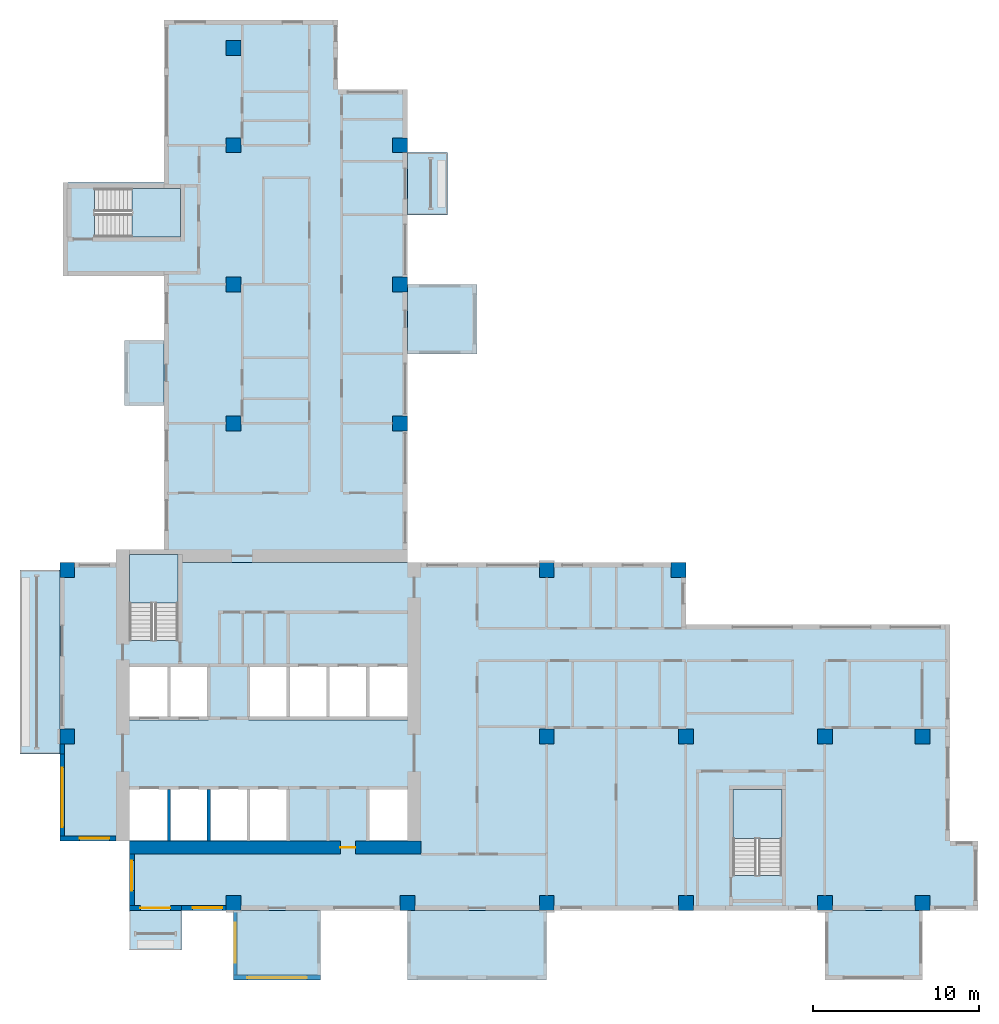
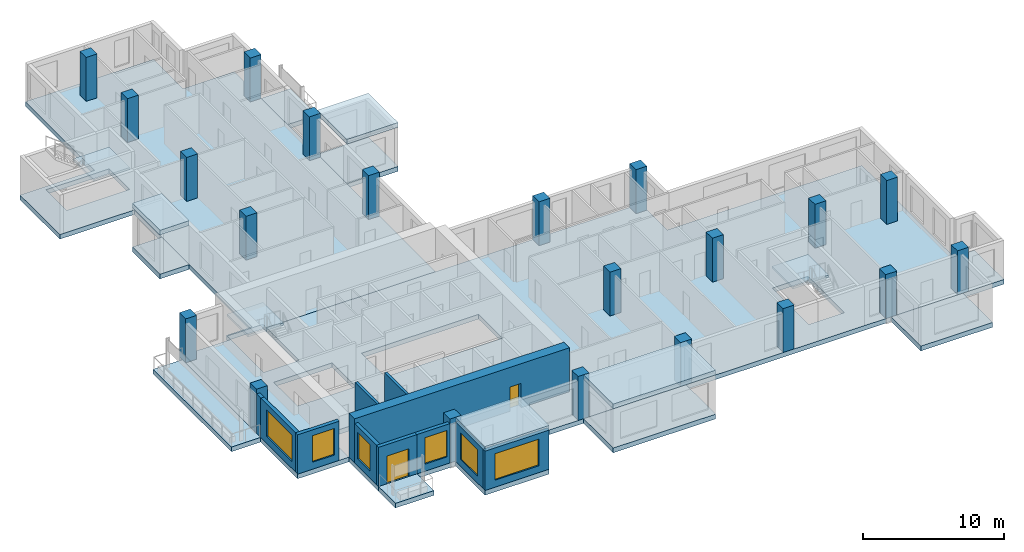
# One storey, part 1 of 12: 21 columns, 17 slabs, 11 walls, 6 windows, 2 doors, 8 openings, 3 elements without a shape of their own.
"""IFC4 building model written with IfcOpenShell, lengths in metres."""

from ifc_helpers import new_model, si_unit, direction, frame, frame_2d, origin, origin_2d, place, context, subcontext, project, spatial, polyline, rectangle, outline, extrude, source, transform, mapped, material, layer, layer_set, material_profile, profile_set, type_object, element, fill, aggregate, save


model = new_model("IFC4")

# Units and contexts
model_context = context("Model", 3, precision=1e-05, world=origin(), true_north=direction((0.0, 1.0)))
body_context = subcontext(model_context, "Body", "Model", "MODEL_VIEW")
ifc_project = project(units=[si_unit("LENGTHUNIT", "METRE"), si_unit("AREAUNIT", "SQUARE_METRE"), si_unit("VOLUMEUNIT", "CUBIC_METRE"), si_unit("PLANEANGLEUNIT", "RADIAN"), si_unit("MASSUNIT", "GRAM", prefix="KILO")], contexts=[model_context])

# Site, building, storey
site_placement = place(None, origin())
site = spatial("IfcSite", under=ifc_project, at=site_placement, CompositionType="ELEMENT")
building_placement = place(site_placement, origin())
building = spatial("IfcBuilding", under=site, at=building_placement, Name="Aurelian Terraces", CompositionType="ELEMENT")
storey_placement = place(building_placement, frame((0.0, 0.0, 223.4)))
storey = spatial("IfcBuildingStorey", under=building, at=storey_placement, Name="L50", CompositionType="ELEMENT", Elevation=223.4)

# Columns
ifc_material_1 = material(Name="Concrete fc' 70 MPa", Category="concrete")
ifc_material_profile = material_profile(ifc_material_1, rectangle(XDim=0.9, YDim=0.9, at=origin_2d()))
ifc_profile_set = profile_set([ifc_material_profile], Name="Concrete fc' 70 MPa")
column_type = type_object("IfcColumnType", Name="RC COLUMN 900X900 FC70", PredefinedType="COLUMN", material=ifc_profile_set)
shared_shape_1 = source(origin(), body_context, "Body", "SweptSolid", [
    extrude(rectangle(XDim=0.9, YDim=0.9, at=origin_2d()), origin(), (0.0, 0.0, 1.0), 3.8),
])
for number, where, z_axis, x_axis, name in (
    (1, (10.5, 0.45, 0.0), (0.0, 0.0, 1.0), (1.0, 0.0, 0.0), "Column 2/A L50"),
    (2, (21.0, 0.45, 0.0), (0.0, 0.0, 1.0), (1.0, 0.0, 0.0), "Column 3/A L50"),
    (3, (29.4, 0.45, 0.0), (0.0, 0.0, 1.0), (1.0, 0.0, 0.0), "Column 4/A L50"),
    (4, (37.8, 0.45, 0.0), (0.0, 0.0, 1.0), (1.0, 0.0, 0.0), "Column 5/A L50"),
    (5, (46.2, 0.45, 0.0), (0.0, 0.0, 1.0), (1.0, 0.0, 0.0), "Column 6/A L50"),
    (6, (52.08, 0.45, 0.0), (0.0, 0.0, 1.0), (1.0, 0.0, 0.0), "Column 7/A L50"),
    (7, (0.45, 10.5, 0.0), (0.0, 0.0, 1.0), (1.0, 0.0, 0.0), "Column 1/B L50"),
    (8, (29.4, 10.5, 0.0), (0.0, 0.0, 1.0), (1.0, 0.0, 0.0), "Column 4/B L50"),
    (9, (37.8, 10.5, 0.0), (0.0, 0.0, 1.0), (1.0, 0.0, 0.0), "Column 5/B L50"),
    (10, (46.2, 10.5, 0.0), (0.0, 0.0, 1.0), (1.0, 0.0, 0.0), "Column 6/B L50"),
    (11, (52.08, 10.5, 0.0), (0.0, 0.0, 1.0), (1.0, 0.0, 0.0), "Column 7/B L50"),
    (12, (0.45, 20.55, 0.0), (0.0, 0.0, 1.0), (1.0, 0.0, 0.0), "Column 1/C L50"),
    (13, (29.4, 20.55, 0.0), (0.0, 0.0, 1.0), (1.0, 0.0, 0.0), "Column 4/C L50"),
    (14, (37.35, 20.55, 0.0), (0.0, 0.0, 1.0), (1.0, 0.0, 0.0), "Column 5/C L50"),
    (15, (10.5, 29.4, 0.0), (0.0, 0.0, 1.0), (1.0, 0.0, 0.0), "Column 2/D L50"),
    (16, (20.55, 29.4, 0.0), (0.0, 0.0, 1.0), (1.0, 0.0, 0.0), "Column 3/D L50"),
    (17, (10.5, 37.8, 0.0), (0.0, 0.0, 1.0), (1.0, 0.0, 0.0), "Column 2/E L50"),
    (18, (20.55, 37.8, 0.0), (0.0, 0.0, 1.0), (1.0, 0.0, 0.0), "Column 3/E L50"),
    (19, (10.5, 46.2, 0.0), (0.0, 0.0, 1.0), (1.0, 0.0, 0.0), "Column 2/F L50"),
    (20, (20.55, 46.2, 0.0), (0.0, 0.0, 1.0), (1.0, 0.0, 0.0), "Column 3/F L50"),
    (21, (10.5, 52.08, 0.0), (0.0, 0.0, 1.0), (1.0, 0.0, 0.0), "Column 2/G L50"),
):
    element("IfcColumn", number, at=place(storey_placement, frame(where, z_axis=z_axis, x_axis=x_axis)), inside=storey, type_object=column_type, Name=name, PredefinedType="COLUMN", context=body_context, shape_type="MappedRepresentation", body=[
        mapped(shared_shape_1, transform((0.0, 0.0, 0.0), scale=1.0)),
    ])

# Slabs
ifc_material_2 = material(Name="Concrete fc' 40 MPa", Category="concrete")
ifc_layer_1 = layer(ifc_material_2, 0.4)
ifc_layer_set_1 = layer_set([ifc_layer_1], Name="Box roof 400")
slab_type_1 = type_object("IfcSlabType", Name="Box roof 400", PredefinedType="ROOF", material=ifc_layer_set_1)
slab_1_placement = place(storey_placement, frame((0.0, 0.0, 3.4)))
element("IfcSlab", 22, at=slab_1_placement, inside=storey, type_object=slab_type_1, Name="Box roof J71", PredefinedType="ROOF", context=body_context, shape_type="SweptSolid", body=[
    extrude(outline(polyline([(21.0, -4.2), (29.4, -4.2), (29.4, 0.0), (21.0, 0.0), (21.0, -4.2)])), origin(), (0.0, 0.0, 1.0), 0.4),
])
ifc_layer_2 = layer(ifc_material_2, 0.4)
ifc_layer_set_2 = layer_set([ifc_layer_2], Name="PT FLAT PLATE 400")
slab_type_2 = type_object("IfcSlabType", Name="PT FLAT PLATE 400", PredefinedType="FLOOR", material=ifc_layer_set_2)
shared_shape_2 = source(origin(), body_context, "Body", "SweptSolid", [
    extrude(outline(polyline([(6.3, 43.95), (6.3, 49.56), (6.3, 53.76), (10.5, 53.76), (16.8, 53.76), (16.8, 49.56), (21.0, 49.56), (21.0, 21.0), (7.14, 21.0), (7.14, 21.49), (4.21, 21.49), (4.21, 21.0), (4.2, 21.0), (4.2, 21.6), (6.3, 21.6), (6.3, 38.3), (0.2, 38.3), (0.2, 43.95), (6.3, 43.95)]), holes=[polyline([(7.29, 43.59), (2.11, 43.59), (2.11, 40.66), (7.29, 40.66), (7.29, 43.59)])]), origin(), (0.0, 0.0, 1.0), 0.4),
])
slab_2_placement = place(storey_placement, frame((0.0, 0.0, -0.4)))
element("IfcSlab", 23, at=slab_2_placement, inside=storey, type_object=slab_type_2, Name="Floor slab W L50", PredefinedType="FLOOR", context=body_context, shape_type="MappedRepresentation", body=[
    mapped(shared_shape_2, transform((0.0, 0.0, 0.0), scale=1.0)),
])
shared_shape_3 = source(origin(), body_context, "Body", "SweptSolid", [
    extrude(outline(polyline([(21.0, 0.0), (4.2, 0.0), (4.2, 4.2), (0.0, 4.2), (0.0, 21.0), (4.21, 21.0), (4.21, 16.31), (7.14, 16.31), (7.14, 21.0), (21.0, 21.0), (37.8, 21.0), (37.8, 17.25), (53.76, 17.25), (53.76, 4.2), (55.44, 4.2), (55.44, 0.0), (21.0, 0.0)]), holes=[polyline([(40.66, 2.11), (43.59, 2.11), (43.59, 7.29), (40.66, 7.29), (40.66, 2.11)]), polyline([(18.61, 7.49), (18.61, 4.21), (20.99, 4.21), (20.99, 7.49), (18.61, 7.49)]), polyline([(20.99, 14.89), (11.41, 14.89), (11.41, 11.51), (20.99, 11.51), (20.99, 14.89)]), polyline([(4.21, 7.49), (4.21, 4.21), (13.79, 4.21), (13.79, 7.49), (4.21, 7.49)]), polyline([(4.21, 14.89), (4.21, 11.51), (8.99, 11.51), (8.99, 14.89), (4.21, 14.89)])]), origin(), (0.0, 0.0, 1.0), 0.4),
])
slab_3_placement = place(storey_placement, frame((0.0, 0.0, -0.4)))
element("IfcSlab", 24, at=slab_3_placement, inside=storey, type_object=slab_type_2, Name="Floor slab S L50", PredefinedType="FLOOR", context=body_context, shape_type="MappedRepresentation", body=[
    mapped(shared_shape_3, transform((0.0, 0.0, 0.0), scale=1.0)),
])
ifc_layer_3 = layer(ifc_material_2, 0.41)
ifc_layer_set_3 = layer_set([ifc_layer_3], Name="Box floor 410")
slab_type_3 = type_object("IfcSlabType", Name="Box floor 410", PredefinedType="NOTDEFINED", material=ifc_layer_set_3)
shared_shape_4 = source(origin(), body_context, "Body", "SweptSolid", [
    extrude(outline(polyline([(46.2, -4.2), (52.08, -4.2), (52.08, 0.0), (46.2, 0.0), (46.2, -4.2)])), origin(), (0.0, 0.0, 1.0), 0.41),
])
slab_4_placement = place(storey_placement, frame((0.0, 0.0, -0.41)))
element("IfcSlab", 25, at=slab_4_placement, inside=storey, type_object=slab_type_3, Name="Box floor L50 J74", PredefinedType="NOTDEFINED", context=body_context, shape_type="MappedRepresentation", body=[
    mapped(shared_shape_4, transform((0.0, 0.0, 0.0), scale=1.0)),
])
shared_shape_5 = source(origin(), body_context, "Body", "SweptSolid", [
    extrude(outline(polyline([(25.2, 33.6), (25.2, 37.8), (21.0, 37.8), (21.0, 33.6), (25.2, 33.6)])), origin(), (0.0, 0.0, 1.0), 0.41),
])
slab_5_placement = place(storey_placement, frame((0.0, 0.0, -0.41)))
element("IfcSlab", 26, at=slab_5_placement, inside=storey, type_object=slab_type_3, Name="Box floor L50 J72", PredefinedType="NOTDEFINED", context=body_context, shape_type="MappedRepresentation", body=[
    mapped(shared_shape_5, transform((0.0, 0.0, 0.0), scale=1.0)),
])
shared_shape_6 = source(origin(), body_context, "Body", "SweptSolid", [
    extrude(outline(polyline([(25.2, 33.6), (25.2, 37.8), (21.0, 37.8), (21.0, 33.6), (25.2, 33.6)])), origin(), (0.0, 0.0, 1.0), 0.4),
])
slab_6_placement = place(storey_placement, frame((0.0, 0.0, 3.4)))
element("IfcSlab", 27, at=slab_6_placement, inside=storey, type_object=slab_type_1, Name="Box roof J72", PredefinedType="ROOF", context=body_context, shape_type="MappedRepresentation", body=[
    mapped(shared_shape_6, transform((0.0, 0.0, 0.0), scale=1.0)),
])
shared_shape_7 = source(origin(), body_context, "Body", "SweptSolid", [
    extrude(outline(polyline([(3.9, 34.4), (3.9, 30.5), (6.3, 30.5), (6.3, 34.4), (3.9, 34.4)])), origin(), (0.0, 0.0, 1.0), 0.41),
])
slab_7_placement = place(storey_placement, frame((0.0, 0.0, -0.41)))
element("IfcSlab", 28, at=slab_7_placement, inside=storey, type_object=slab_type_3, Name="Box floor L50 J73", PredefinedType="NOTDEFINED", context=body_context, shape_type="MappedRepresentation", body=[
    mapped(shared_shape_7, transform((0.0, 0.0, 0.0), scale=1.0)),
])
shared_shape_8 = source(origin(), body_context, "Body", "SweptSolid", [
    extrude(outline(polyline([(3.9, 34.4), (3.9, 30.5), (6.3, 30.5), (6.3, 34.4), (3.9, 34.4)])), origin(), (0.0, 0.0, 1.0), 0.4),
])
slab_8_placement = place(storey_placement, frame((0.0, 0.0, 3.4)))
element("IfcSlab", 29, at=slab_8_placement, inside=storey, type_object=slab_type_1, Name="Box roof J73", PredefinedType="ROOF", context=body_context, shape_type="MappedRepresentation", body=[
    mapped(shared_shape_8, transform((0.0, 0.0, 0.0), scale=1.0)),
])
shared_shape_9 = source(origin(), body_context, "Body", "SweptSolid", [
    extrude(outline(polyline([(10.5, -4.2), (15.75, -4.2), (15.75, 0.0), (10.5, 0.0), (10.5, -4.2)])), origin(), (0.0, 0.0, 1.0), 0.41),
])
slab_9_placement = place(storey_placement, frame((0.0, 0.0, -0.41)))
element("IfcSlab", 30, at=slab_9_placement, inside=storey, type_object=slab_type_3, Name="Box floor L50 J70", PredefinedType="NOTDEFINED", context=body_context, shape_type="MappedRepresentation", body=[
    mapped(shared_shape_9, transform((0.0, 0.0, 0.0), scale=1.0)),
])
ifc_layer_4 = layer(ifc_material_2, 0.4)
ifc_layer_set_4 = layer_set([ifc_layer_4], Name="Balcony slab 400")
slab_type_4 = type_object("IfcSlabType", Name="Balcony slab 400", PredefinedType="NOTDEFINED", material=ifc_layer_set_4)
shared_shape_10 = source(origin(), body_context, "Body", "SweptSolid", [
    extrude(outline(polyline([(4.2, 0.0), (7.35, 0.0), (7.35, -2.4), (4.2, -2.4), (4.2, 0.0)])), origin(), (0.0, 0.0, 1.0), 0.4),
])
slab_10_placement = place(storey_placement, frame((0.0, 0.0, -0.4)))
element("IfcSlab", 31, at=slab_10_placement, inside=storey, type_object=slab_type_4, Name="Balcony slab L50 F01.1", PredefinedType="NOTDEFINED", context=body_context, shape_type="MappedRepresentation", body=[
    mapped(shared_shape_10, transform((0.0, 0.0, 0.0), scale=1.0)),
])
shared_shape_11 = source(origin(), body_context, "Body", "SweptSolid", [
    extrude(outline(polyline([(21.0, 42.0), (21.0, 45.75), (23.4, 45.75), (23.4, 42.0), (21.0, 42.0)])), origin(), (0.0, 0.0, 1.0), 0.4),
])
slab_11_placement = place(storey_placement, frame((0.0, 0.0, -0.4)))
element("IfcSlab", 32, at=slab_11_placement, inside=storey, type_object=slab_type_4, Name="Balcony slab L50 F08.20", PredefinedType="NOTDEFINED", context=body_context, shape_type="MappedRepresentation", body=[
    mapped(shared_shape_11, transform((0.0, 0.0, 0.0), scale=1.0)),
])
shared_shape_12 = source(origin(), body_context, "Body", "SweptSolid", [
    extrude(outline(polyline([(10.5, -4.2), (15.75, -4.2), (15.75, 0.0), (10.5, 0.0), (10.5, -4.2)])), origin(), (0.0, 0.0, 1.0), 0.4),
])
slab_12_placement = place(storey_placement, frame((0.0, 0.0, 3.4)))
element("IfcSlab", 33, at=slab_12_placement, inside=storey, type_object=slab_type_1, Name="Box roof J70", PredefinedType="ROOF", context=body_context, shape_type="MappedRepresentation", body=[
    mapped(shared_shape_12, transform((0.0, 0.0, 0.0), scale=1.0)),
])
shared_shape_13 = source(origin(), body_context, "Body", "SweptSolid", [
    extrude(outline(polyline([(0.0, 20.55), (0.0, 9.45), (-2.4, 9.45), (-2.4, 20.55), (0.0, 20.55)])), origin(), (0.0, 0.0, 1.0), 0.4),
])
slab_13_placement = place(storey_placement, frame((0.0, 0.0, -0.4)))
element("IfcSlab", 34, at=slab_13_placement, inside=storey, type_object=slab_type_4, Name="Balcony slab L50 F20.34", PredefinedType="NOTDEFINED", context=body_context, shape_type="MappedRepresentation", body=[
    mapped(shared_shape_13, transform((0.0, 0.0, 0.0), scale=1.0)),
])
shared_shape_14 = source(origin(), body_context, "Body", "SweptSolid", [
    extrude(outline(polyline([(21.0, -4.2), (29.4, -4.2), (29.4, 0.0), (21.0, 0.0), (21.0, -4.2)])), origin(), (0.0, 0.0, 1.0), 0.41),
])
slab_14_placement = place(storey_placement, frame((0.0, 0.0, -0.41)))
element("IfcSlab", 35, at=slab_14_placement, inside=storey, type_object=slab_type_3, Name="Box floor L50 J71", PredefinedType="NOTDEFINED", context=body_context, shape_type="MappedRepresentation", body=[
    mapped(shared_shape_14, transform((0.0, 0.0, 0.0), scale=1.0)),
])

# Stair, slab
stair_type = type_object("IfcStairType", Name="Stair 1400", PredefinedType="HALF_TURN_STAIR", material=ifc_material_2)
stair_1_placement = place(storey_placement, origin())
stair_1 = element("IfcStair", 36, at=stair_1_placement, inside=storey, type_object=stair_type, Name="L50 S1", PredefinedType="HALF_TURN_STAIR")
ifc_layer_5 = layer(ifc_material_2, 0.2)
ifc_layer_set_5 = layer_set([ifc_layer_5], Name="Stair landing 200")
slab_type_5 = type_object("IfcSlabType", Name="Stair landing 200", PredefinedType="LANDING", material=ifc_layer_set_5)
shared_shape_15 = source(origin(), body_context, "Body", "SweptSolid", [
    extrude(outline(polyline([(7.15, 18.55), (7.15, 21.5), (4.2, 21.5), (4.2, 18.55), (7.15, 18.55)])), origin(), (0.0, 0.0, 1.0), 0.2),
])
slab_15_placement = place(storey_placement, frame((0.0, 0.0, 1.7)))
slab_15 = element("IfcSlab", 37, at=slab_15_placement, type_object=slab_type_5, Name="S1 landing 1", PredefinedType="LANDING", context=body_context, shape_type="MappedRepresentation", body=[
    mapped(shared_shape_15, transform((0.0, 0.0, 0.0), scale=1.0)),
])
aggregate(stair_1, [slab_15])

stair_2_placement = place(storey_placement, origin())
stair_2 = element("IfcStair", 38, at=stair_2_placement, inside=storey, type_object=stair_type, Name="L50 S2", PredefinedType="HALF_TURN_STAIR")
shared_shape_16 = source(origin(), body_context, "Body", "SweptSolid", [
    extrude(outline(polyline([(43.6, 4.35), (43.6, 7.3), (40.65, 7.3), (40.65, 4.35), (43.6, 4.35)])), origin(), (0.0, 0.0, 1.0), 0.2),
])
slab_16_placement = place(storey_placement, frame((0.0, 0.0, 1.7)))
slab_16 = element("IfcSlab", 39, at=slab_16_placement, type_object=slab_type_5, Name="S2 landing 1", PredefinedType="LANDING", context=body_context, shape_type="MappedRepresentation", body=[
    mapped(shared_shape_16, transform((0.0, 0.0, 0.0), scale=1.0)),
])
aggregate(stair_2, [slab_16])

stair_3_placement = place(storey_placement, origin())
stair_3 = element("IfcStair", 40, at=stair_3_placement, inside=storey, type_object=stair_type, Name="L50 S3", PredefinedType="HALF_TURN_STAIR")
shared_shape_17 = source(origin(), body_context, "Body", "SweptSolid", [
    extrude(outline(polyline([(4.35, 40.65), (7.3, 40.65), (7.3, 43.6), (4.35, 43.6), (4.35, 40.65)])), origin(), (0.0, 0.0, 1.0), 0.2),
])
slab_17_placement = place(storey_placement, frame((0.0, 0.0, 1.7)))
slab_17 = element("IfcSlab", 41, at=slab_17_placement, type_object=slab_type_5, Name="S3 landing 1", PredefinedType="LANDING", context=body_context, shape_type="MappedRepresentation", body=[
    mapped(shared_shape_17, transform((0.0, 0.0, 0.0), scale=1.0)),
])
aggregate(stair_3, [slab_17])

# Wall, opening, door
ifc_layer_6 = layer(ifc_material_1, 0.8)
ifc_layer_set_6 = layer_set([ifc_layer_6], Name="CORE WALL 800 FC70")
wall_type_1 = type_object("IfcWallType", Name="CORE WALL 800 FC70", PredefinedType="SHEAR", material=ifc_layer_set_6)
shared_shape_18 = source(origin(), body_context, "Body", "SweptSolid", [
    extrude(rectangle(XDim=17.6, YDim=0.8, at=frame_2d((8.8, 0.0))), origin(), (0.0, 0.0, 1.0), 3.8),
])
wall_1_placement = place(storey_placement, frame((4.2, 3.8, 0.0), z_axis=(0.0, 0.0, 1.0), x_axis=(1.0, 0.0, 0.0)))
wall_1 = element("IfcWall", 42, at=wall_1_placement, inside=storey, type_object=wall_type_1, Name="Core wall S L50", PredefinedType="SHEAR", context=body_context, shape_type="MappedRepresentation", body=[
    mapped(shared_shape_18, transform((0.0, 0.0, 0.0), scale=1.0)),
])
shared_shape_19 = source(origin(), body_context, "Body", "SweptSolid", [
    extrude(rectangle(XDim=0.9, YDim=2.1, at=frame_2d((0.45, 1.05))), frame((0.0, 0.41, 0.0), z_axis=(0.0, -1.0, 0.0), x_axis=(1.0, 0.0, 0.0)), (0.0, 0.0, 1.0), 0.82),
])
opening_1_placement = place(wall_1_placement, frame((12.75, 0.0, 0.0)))
opening_1 = element("IfcOpeningElement", 43, at=opening_1_placement, cuts=wall_1, Name="Opening 65327", PredefinedType="OPENING", context=body_context, shape_type="MappedRepresentation", body=[
    mapped(shared_shape_19, transform((0.0, 0.0, 0.0), scale=1.0)),
])
ifc_material_3 = material(Name="Steel door leaf", Category="steel")
door_type_1 = type_object("IfcDoorType", Name="Core service door 900x2100 right", OperationType="SINGLE_SWING_RIGHT", PredefinedType="DOOR", material=ifc_material_3)
shared_shape_20 = source(origin(), body_context, "Body", "SweptSolid", [
    extrude(rectangle(XDim=0.9, YDim=2.1, at=frame_2d((0.45, 1.05))), frame((0.0, 0.025, 0.0), z_axis=(0.0, -1.0, 0.0), x_axis=(1.0, 0.0, 0.0)), (0.0, 0.0, 1.0), 0.05),
])
door_1_placement = place(opening_1_placement, origin())
door_1 = element("IfcDoor", 44, at=door_1_placement, inside=storey, type_object=door_type_1, Name="Core door 65327", OperationType="SINGLE_SWING_RIGHT", OverallHeight=2.1, OverallWidth=0.9, PredefinedType="DOOR", context=body_context, shape_type="MappedRepresentation", body=[
    mapped(shared_shape_20, transform((0.0, 0.0, 0.0), scale=1.0)),
])
fill(opening_1, door_1)

# Wall, opening, window
ifc_material_4 = material(Name="Terracotta rainscreen cladding", Category="masonry")
ifc_layer_7 = layer(ifc_material_4, 0.3)
ifc_layer_set_7 = layer_set([ifc_layer_7], Name="EW-300")
wall_type_2 = type_object("IfcWallType", Name="EW-300", PredefinedType="STANDARD", material=ifc_layer_set_7)
shared_shape_21 = source(origin(), body_context, "Body", "SweptSolid", [
    extrude(rectangle(XDim=3.4, YDim=0.3, at=frame_2d((1.7, 0.0))), origin(), (0.0, 0.0, 1.0), 3.4),
])
wall_2_placement = place(storey_placement, frame((0.0, 4.35, 0.0), z_axis=(0.0, 0.0, 1.0), x_axis=(1.0, 0.0, 0.0)))
wall_2 = element("IfcWall", 45, at=wall_2_placement, inside=storey, type_object=wall_type_2, Name="External wall L50 F21.36", PredefinedType="STANDARD", context=body_context, shape_type="MappedRepresentation", body=[
    mapped(shared_shape_21, transform((0.0, 0.0, 0.0), scale=1.0)),
])
shared_shape_22 = source(origin(), body_context, "Body", "SweptSolid", [
    extrude(rectangle(XDim=1.8, YDim=2.3, at=frame_2d((0.9, 1.15))), frame((0.0, 0.16, 0.0), z_axis=(0.0, -1.0, 0.0), x_axis=(1.0, 0.0, 0.0)), (0.0, 0.0, 1.0), 0.32),
])
opening_2_placement = place(wall_2_placement, frame((1.2, 0.0, 0.6)))
opening_2 = element("IfcOpeningElement", 46, at=opening_2_placement, cuts=wall_2, Name="Opening W1823", PredefinedType="OPENING", context=body_context, shape_type="MappedRepresentation", body=[
    mapped(shared_shape_22, transform((0.0, 0.0, 0.0), scale=1.0)),
])
ifc_material_5 = material(Name="Clear glazing", Category="glass")
window_type_1 = type_object("IfcWindowType", Name="W-1800x2300", PartitioningType="SINGLE_PANEL", PredefinedType="WINDOW", material=ifc_material_5)
shared_shape_23 = source(origin(), body_context, "Body", "SweptSolid", [
    extrude(rectangle(XDim=1.8, YDim=2.3, at=frame_2d((0.9, 1.15))), frame((0.0, 0.03, 0.0), z_axis=(0.0, -1.0, 0.0), x_axis=(1.0, 0.0, 0.0)), (0.0, 0.0, 1.0), 0.06),
])
window_1_placement = place(opening_2_placement, origin())
window_1 = element("IfcWindow", 47, at=window_1_placement, inside=storey, type_object=window_type_1, Name="Window L50 L50-F21-36-0", OverallHeight=2.3, OverallWidth=1.8, PartitioningType="SINGLE_PANEL", PredefinedType="WINDOW", context=body_context, shape_type="MappedRepresentation", body=[
    mapped(shared_shape_23, transform((0.0, 0.0, 0.0), scale=1.0)),
])
fill(opening_2, window_1)

wall_3_placement = place(storey_placement, frame((4.35, 3.4, 0.0), z_axis=(0.0, 0.0, 1.0), x_axis=(0.0, -1.0, 0.0)))
wall_3 = element("IfcWall", 48, at=wall_3_placement, inside=storey, type_object=wall_type_2, Name="External wall L50 F22.37", PredefinedType="STANDARD", context=body_context, shape_type="MappedRepresentation", body=[
    mapped(shared_shape_21, transform((0.0, 0.0, 0.0), scale=1.0)),
])
opening_3_placement = place(wall_3_placement, frame((0.4, 0.0, 0.6)))
opening_3 = element("IfcOpeningElement", 49, at=opening_3_placement, cuts=wall_3, Name="Opening W1823", PredefinedType="OPENING", context=body_context, shape_type="MappedRepresentation", body=[
    mapped(shared_shape_22, transform((0.0, 0.0, 0.0), scale=1.0)),
])
window_2_placement = place(opening_3_placement, origin())
window_2 = element("IfcWindow", 50, at=window_2_placement, inside=storey, type_object=window_type_1, Name="Window L50 L50-F22-37-0", OverallHeight=2.3, OverallWidth=1.8, PartitioningType="SINGLE_PANEL", PredefinedType="WINDOW", context=body_context, shape_type="MappedRepresentation", body=[
    mapped(shared_shape_23, transform((0.0, 0.0, 0.0), scale=1.0)),
])
fill(opening_3, window_2)

ifc_layer_8 = layer(ifc_material_2, 0.2)
ifc_layer_set_8 = layer_set([ifc_layer_8], Name="BOX BEARING WALL 200")
wall_type_3 = type_object("IfcWallType", Name="BOX BEARING WALL 200", PredefinedType="SOLIDWALL", material=ifc_layer_set_8)
shared_shape_24 = source(origin(), body_context, "Body", "SweptSolid", [
    extrude(rectangle(XDim=3.9, YDim=0.2, at=frame_2d((1.95, 0.0))), origin(), (0.0, 0.0, 1.0), 3.4),
])
wall_4_placement = place(storey_placement, frame((10.6, 0.0, 0.0), z_axis=(0.0, 0.0, 1.0), x_axis=(0.0, -1.0, 0.0)))
wall_4 = element("IfcWall", 51, at=wall_4_placement, inside=storey, type_object=wall_type_3, Name="Box return L50 J70.1", PredefinedType="SOLIDWALL", context=body_context, shape_type="MappedRepresentation", body=[
    mapped(shared_shape_24, transform((0.0, 0.0, 0.0), scale=1.0)),
])
shared_shape_25 = source(origin(), body_context, "Body", "SweptSolid", [
    extrude(rectangle(XDim=2.4, YDim=2.3, at=frame_2d((1.2, 1.15))), frame((0.0, 0.11, 0.0), z_axis=(0.0, -1.0, 0.0), x_axis=(1.0, 0.0, 0.0)), (0.0, 0.0, 1.0), 0.22),
])
opening_4_placement = place(wall_4_placement, frame((0.75, 0.0, 0.6)))
opening_4 = element("IfcOpeningElement", 52, at=opening_4_placement, cuts=wall_4, Name="Opening W2423", PredefinedType="OPENING", context=body_context, shape_type="MappedRepresentation", body=[
    mapped(shared_shape_25, transform((0.0, 0.0, 0.0), scale=1.0)),
])
window_type_2 = type_object("IfcWindowType", Name="W-2400x2300", PartitioningType="SINGLE_PANEL", PredefinedType="WINDOW", material=ifc_material_5)
shared_shape_26 = source(origin(), body_context, "Body", "SweptSolid", [
    extrude(rectangle(XDim=2.4, YDim=2.3, at=frame_2d((1.2, 1.15))), frame((0.0, 0.03, 0.0), z_axis=(0.0, -1.0, 0.0), x_axis=(1.0, 0.0, 0.0)), (0.0, 0.0, 1.0), 0.06),
])
window_3_placement = place(opening_4_placement, origin())
window_3 = element("IfcWindow", 53, at=window_3_placement, inside=storey, type_object=window_type_2, Name="Window L50 J70-S1", OverallHeight=2.3, OverallWidth=2.4, PartitioningType="SINGLE_PANEL", PredefinedType="WINDOW", context=body_context, shape_type="MappedRepresentation", body=[
    mapped(shared_shape_26, transform((0.0, 0.0, 0.0), scale=1.0)),
])
fill(opening_4, window_3)

# Wall, opening, door
shared_shape_27 = source(origin(), body_context, "Body", "SweptSolid", [
    extrude(rectangle(XDim=3.15, YDim=0.3, at=frame_2d((1.575, 0.0))), origin(), (0.0, 0.0, 1.0), 3.4),
])
wall_5_placement = place(storey_placement, frame((4.2, 0.15, 0.0), z_axis=(0.0, 0.0, 1.0), x_axis=(1.0, 0.0, 0.0)))
wall_5 = element("IfcWall", 54, at=wall_5_placement, inside=storey, type_object=wall_type_2, Name="External wall L50 F01.1", PredefinedType="STANDARD", context=body_context, shape_type="MappedRepresentation", body=[
    mapped(shared_shape_27, transform((0.0, 0.0, 0.0), scale=1.0)),
])
shared_shape_28 = source(origin(), body_context, "Body", "SweptSolid", [
    extrude(rectangle(XDim=1.8, YDim=2.4, at=frame_2d((0.9, 1.2))), frame((0.0, 0.16, 0.0), z_axis=(0.0, -1.0, 0.0), x_axis=(1.0, 0.0, 0.0)), (0.0, 0.0, 1.0), 0.32),
])
opening_5_placement = place(wall_5_placement, frame((0.675, 0.0, 0.0)))
opening_5 = element("IfcOpeningElement", 55, at=opening_5_placement, cuts=wall_5, Name="Opening 85001", PredefinedType="OPENING", context=body_context, shape_type="MappedRepresentation", body=[
    mapped(shared_shape_28, transform((0.0, 0.0, 0.0), scale=1.0)),
])
door_type_2 = type_object("IfcDoorType", Name="BD-1800x2400", OperationType="SLIDING_TO_LEFT", PredefinedType="DOOR", material=ifc_material_5)
shared_shape_29 = source(origin(), body_context, "Body", "SweptSolid", [
    extrude(rectangle(XDim=1.8, YDim=2.4, at=frame_2d((0.9, 1.2))), frame((0.0, 0.025, 0.0), z_axis=(0.0, -1.0, 0.0), x_axis=(1.0, 0.0, 0.0)), (0.0, 0.0, 1.0), 0.05),
])
door_2_placement = place(opening_5_placement, origin())
door_2 = element("IfcDoor", 56, at=door_2_placement, inside=storey, type_object=door_type_2, Name="Balcony door L50 F01.1", OperationType="SLIDING_TO_LEFT", OverallHeight=2.4, OverallWidth=1.8, PredefinedType="DOOR", context=body_context, shape_type="MappedRepresentation", body=[
    mapped(shared_shape_29, transform((0.0, 0.0, 0.0), scale=1.0)),
])
fill(opening_5, door_2)

# Wall, opening, window
shared_shape_30 = source(origin(), body_context, "Body", "SweptSolid", [
    extrude(rectangle(XDim=2.7, YDim=0.3, at=frame_2d((1.35, 0.0))), origin(), (0.0, 0.0, 1.0), 3.4),
])
wall_6_placement = place(storey_placement, frame((7.35, 0.15, 0.0), z_axis=(0.0, 0.0, 1.0), x_axis=(1.0, 0.0, 0.0)))
wall_6 = element("IfcWall", 57, at=wall_6_placement, inside=storey, type_object=wall_type_2, Name="External wall L50 F01.2", PredefinedType="STANDARD", context=body_context, shape_type="MappedRepresentation", body=[
    mapped(shared_shape_30, transform((0.0, 0.0, 0.0), scale=1.0)),
])
opening_6_placement = place(wall_6_placement, frame((0.675, 0.0, 0.6)))
opening_6 = element("IfcOpeningElement", 58, at=opening_6_placement, cuts=wall_6, Name="Opening W1823", PredefinedType="OPENING", context=body_context, shape_type="MappedRepresentation", body=[
    mapped(shared_shape_22, transform((0.0, 0.0, 0.0), scale=1.0)),
])
window_4_placement = place(opening_6_placement, origin())
window_4 = element("IfcWindow", 59, at=window_4_placement, inside=storey, type_object=window_type_1, Name="Window L50 L50-F01-02-0", OverallHeight=2.3, OverallWidth=1.8, PartitioningType="SINGLE_PANEL", PredefinedType="WINDOW", context=body_context, shape_type="MappedRepresentation", body=[
    mapped(shared_shape_23, transform((0.0, 0.0, 0.0), scale=1.0)),
])
fill(opening_6, window_4)

# Wall
shared_shape_31 = source(origin(), body_context, "Body", "SweptSolid", [
    extrude(rectangle(XDim=0.6, YDim=0.3, at=frame_2d((0.3, 0.0))), origin(), (0.0, 0.0, 1.0), 3.4),
])
wall_7_placement = place(storey_placement, frame((0.15, 10.05, 0.0), z_axis=(0.0, 0.0, 1.0), x_axis=(0.0, -1.0, 0.0)))
element("IfcWall", 60, at=wall_7_placement, inside=storey, type_object=wall_type_2, Name="External wall L50 F20.34", PredefinedType="STANDARD", context=body_context, shape_type="MappedRepresentation", body=[
    mapped(shared_shape_31, transform((0.0, 0.0, 0.0), scale=1.0)),
])

# Wall, opening, window
ifc_layer_9 = layer(ifc_material_2, 0.3)
ifc_layer_set_9 = layer_set([ifc_layer_9], Name="BOX BEARING WALL 300")
wall_type_4 = type_object("IfcWallType", Name="BOX BEARING WALL 300", PredefinedType="SOLIDWALL", material=ifc_layer_set_9)
shared_shape_32 = source(origin(), body_context, "Body", "SweptSolid", [
    extrude(rectangle(XDim=5.25, YDim=0.3, at=frame_2d((2.625, 0.0))), origin(), (0.0, 0.0, 1.0), 3.4),
])
wall_8_placement = place(storey_placement, frame((10.5, -4.05, 0.0), z_axis=(0.0, 0.0, 1.0), x_axis=(1.0, 0.0, 0.0)))
wall_8 = element("IfcWall", 61, at=wall_8_placement, inside=storey, type_object=wall_type_4, Name="Box wall L50 J70", PredefinedType="SOLIDWALL", context=body_context, shape_type="MappedRepresentation", body=[
    mapped(shared_shape_32, transform((0.0, 0.0, 0.0), scale=1.0)),
])
shared_shape_33 = source(origin(), body_context, "Body", "SweptSolid", [
    extrude(rectangle(XDim=3.6, YDim=2.3, at=frame_2d((1.8, 1.15))), frame((0.0, 0.16, 0.0), z_axis=(0.0, -1.0, 0.0), x_axis=(1.0, 0.0, 0.0)), (0.0, 0.0, 1.0), 0.32),
])
opening_7_placement = place(wall_8_placement, frame((0.825, 0.0, 0.6)))
opening_7 = element("IfcOpeningElement", 62, at=opening_7_placement, cuts=wall_8, Name="Opening W3623", PredefinedType="OPENING", context=body_context, shape_type="MappedRepresentation", body=[
    mapped(shared_shape_33, transform((0.0, 0.0, 0.0), scale=1.0)),
])
window_type_3 = type_object("IfcWindowType", Name="W-3600x2300", PartitioningType="SINGLE_PANEL", PredefinedType="WINDOW", material=ifc_material_5)
shared_shape_34 = source(origin(), body_context, "Body", "SweptSolid", [
    extrude(rectangle(XDim=3.6, YDim=2.3, at=frame_2d((1.8, 1.15))), frame((0.0, 0.03, 0.0), z_axis=(0.0, -1.0, 0.0), x_axis=(1.0, 0.0, 0.0)), (0.0, 0.0, 1.0), 0.06),
])
window_5_placement = place(opening_7_placement, origin())
window_5 = element("IfcWindow", 63, at=window_5_placement, inside=storey, type_object=window_type_3, Name="Window L50 J70-F1", OverallHeight=2.3, OverallWidth=3.6, PartitioningType="SINGLE_PANEL", PredefinedType="WINDOW", context=body_context, shape_type="MappedRepresentation", body=[
    mapped(shared_shape_34, transform((0.0, 0.0, 0.0), scale=1.0)),
])
fill(opening_7, window_5)

shared_shape_35 = source(origin(), body_context, "Body", "SweptSolid", [
    extrude(rectangle(XDim=5.25, YDim=0.3, at=frame_2d((2.625, 0.0))), origin(), (0.0, 0.0, 1.0), 3.4),
])
wall_9_placement = place(storey_placement, frame((0.15, 9.45, 0.0), z_axis=(0.0, 0.0, 1.0), x_axis=(0.0, -1.0, 0.0)))
wall_9 = element("IfcWall", 64, at=wall_9_placement, inside=storey, type_object=wall_type_2, Name="External wall L50 F20.35", PredefinedType="STANDARD", context=body_context, shape_type="MappedRepresentation", body=[
    mapped(shared_shape_35, transform((0.0, 0.0, 0.0), scale=1.0)),
])
opening_8_placement = place(wall_9_placement, frame((0.825, 0.0, 0.6)))
opening_8 = element("IfcOpeningElement", 65, at=opening_8_placement, cuts=wall_9, Name="Opening W3623", PredefinedType="OPENING", context=body_context, shape_type="MappedRepresentation", body=[
    mapped(shared_shape_33, transform((0.0, 0.0, 0.0), scale=1.0)),
])
window_6_placement = place(opening_8_placement, origin())
window_6 = element("IfcWindow", 66, at=window_6_placement, inside=storey, type_object=window_type_3, Name="Window L50 L50-F20-35-0", OverallHeight=2.3, OverallWidth=3.6, PartitioningType="SINGLE_PANEL", PredefinedType="WINDOW", context=body_context, shape_type="MappedRepresentation", body=[
    mapped(shared_shape_34, transform((0.0, 0.0, 0.0), scale=1.0)),
])
fill(opening_8, window_6)

# Walls
ifc_layer_10 = layer(ifc_material_2, 0.2)
ifc_layer_set_10 = layer_set([ifc_layer_10], Name="Lift shaft wall 200")
wall_type_5 = type_object("IfcWallType", Name="Lift shaft wall 200", PredefinedType="SOLIDWALL", material=ifc_layer_set_10)
shared_shape_36 = source(origin(), body_context, "Body", "SweptSolid", [
    extrude(rectangle(XDim=3.1, YDim=0.2, at=frame_2d((1.55, 0.0))), origin(), (0.0, 0.0, 1.0), 3.8),
])
for number, where, z_axis, x_axis, name in (
    (67, (6.6, 4.2, 0.0), (0.0, 0.0, 1.0), (0.0, 1.0, 0.0), "L50 core wall CD-A1"),
    (68, (9.0, 4.2, 0.0), (0.0, 0.0, 1.0), (0.0, 1.0, 0.0), "L50 core wall CD-A2"),
):
    element("IfcWall", number, at=place(storey_placement, frame(where, z_axis=z_axis, x_axis=x_axis)), inside=storey, type_object=wall_type_5, Name=name, PredefinedType="SOLIDWALL", context=body_context, shape_type="MappedRepresentation", body=[
        mapped(shared_shape_36, transform((0.0, 0.0, 0.0), scale=1.0)),
    ])

save(model, "model.ifc")
